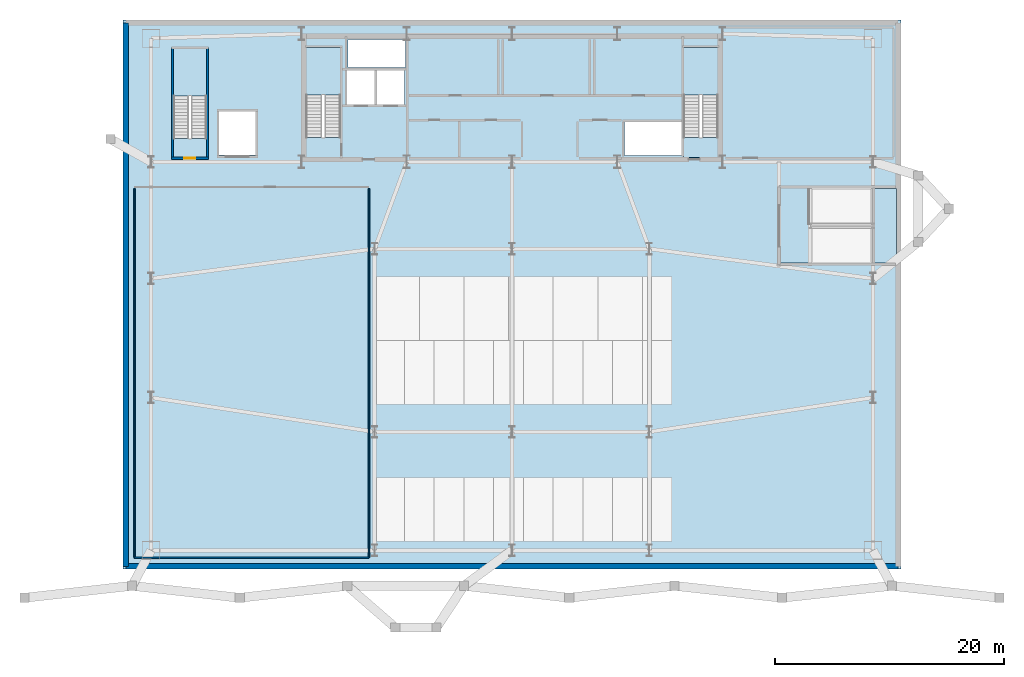
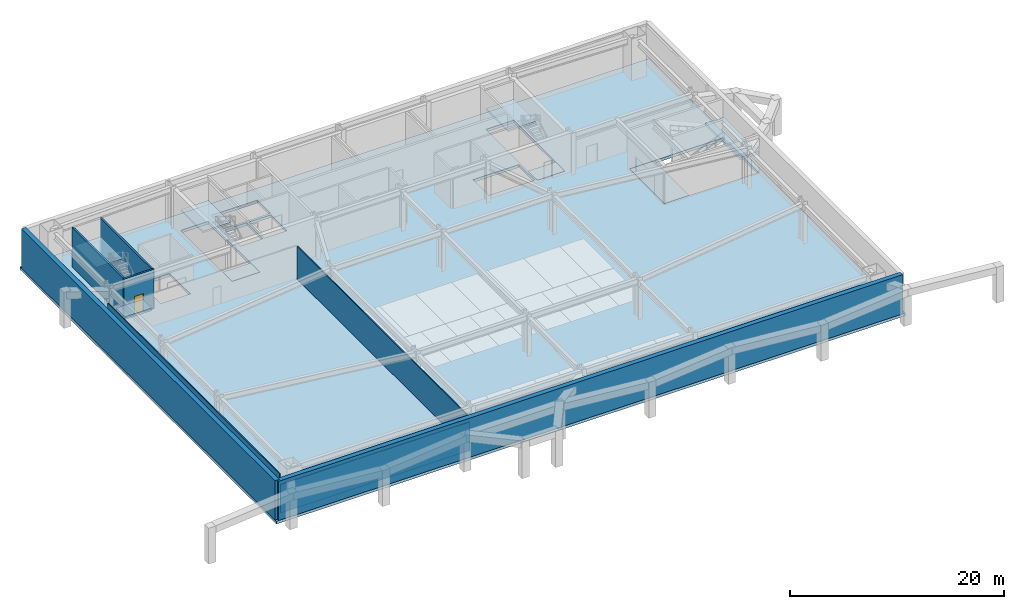
# One storey, part 4 of 9: 9 slabs, 8 walls, 1 door, 1 opening, 3 elements without a shape of their own.
"""IFC4 building model written with IfcOpenShell, lengths in metres."""

from ifc_helpers import new_model, si_unit, direction, frame, frame_2d, origin, place, context, subcontext, project, spatial, polyline, rectangle, outline, extrude, source, transform, mapped, material, layer, layer_set, type_object, type_shapes, element, fill, aggregate, save


model = new_model("IFC4")

# Units and contexts
model_context = context("Model", 3, precision=1e-05, world=origin(), true_north=direction((0.0, 1.0)))
body_context = subcontext(model_context, "Body", "Model", "MODEL_VIEW")
ifc_project = project(units=[si_unit("LENGTHUNIT", "METRE"), si_unit("AREAUNIT", "SQUARE_METRE"), si_unit("VOLUMEUNIT", "CUBIC_METRE"), si_unit("PLANEANGLEUNIT", "RADIAN"), si_unit("MASSUNIT", "GRAM", prefix="KILO")], contexts=[model_context])

# Site, building, storey
site_placement = place(None, origin())
site = spatial("IfcSite", under=ifc_project, at=site_placement, CompositionType="ELEMENT")
building_placement = place(site_placement, origin())
building = spatial("IfcBuilding", under=site, at=building_placement, Name="Varnel Quay Broadcast Tower", CompositionType="ELEMENT")
storey_placement = place(building_placement, frame((0.0, 0.0, -4.800048828125)))
storey = spatial("IfcBuildingStorey", under=building, at=storey_placement, Name="B1", CompositionType="ELEMENT", Elevation=-4.800048828125)

# Slabs
ifc_material_1 = material(Name="Concrete CSA A23.3 C50/60", Category="concrete")
ifc_layer_1 = layer(ifc_material_1, 0.320068359375, Name="Concrete CSA A23.3 C50/60")
ifc_layer_set_1 = layer_set([ifc_layer_1], Name="Concrete CSA A23.3 C50/60")
slab_type_1 = type_object("IfcSlabType", Name="Slab_Floor320", PredefinedType="FLOOR", material=ifc_layer_set_1)
slab_1_placement = place(storey_placement, frame((0.0, 0.0, -0.320068359375)))
element("IfcSlab", 1, at=slab_1_placement, inside=storey, type_object=slab_type_1, Name="B1 Structural Slab", PredefinedType="FLOOR", context=body_context, shape_type="SweptSolid", body=[
    extrude(outline(polyline([(0.0, 0.0), (68.0, 0.0), (68.0, 48.0), (0.0, 48.0), (0.0, 0.0)]), holes=[polyline([(57.39990234375, 26.75), (57.39990234375, 33.300048828125), (67.60009765625, 33.300048828125), (67.60009765625, 26.75), (57.39990234375, 26.75)]), polyline([(43.85009765625, 36.14990234375), (43.85009765625, 39.080078125), (48.800048828125, 39.080078125), (48.800048828125, 36.14990234375), (43.85009765625, 36.14990234375)]), polyline([(8.39990234375, 36.199951171875), (8.39990234375, 40.0), (11.60009765625, 40.0), (11.60009765625, 36.199951171875), (8.39990234375, 36.199951171875)]), polyline([(7.300048828125, 36.0), (4.39990234375, 36.0), (4.39990234375, 45.5), (7.300048828125, 45.5), (7.300048828125, 36.0)]), polyline([(19.0, 36.0), (16.0, 36.0), (16.0, 45.60009765625), (19.0, 45.60009765625), (19.0, 36.0)]), polyline([(52.0, 36.0), (49.0, 36.0), (49.0, 45.60009765625), (52.0, 45.60009765625), (52.0, 36.0)]), polyline([(19.60009765625, 40.60009765625), (19.60009765625, 43.60009765625), (22.0, 43.60009765625), (22.0, 40.60009765625), (19.60009765625, 40.60009765625)]), polyline([(22.199951171875, 43.60009765625), (24.60009765625, 43.60009765625), (24.60009765625, 40.60009765625), (22.199951171875, 40.60009765625), (22.199951171875, 43.60009765625)]), polyline([(19.64990234375, 46.300048828125), (24.679931640625, 46.300048828125), (24.679931640625, 43.85009765625), (19.64990234375, 43.85009765625), (19.64990234375, 46.300048828125)])]), origin(), (0.0, 0.0, 1.0), 0.320068359375),
])
ifc_material_2 = material(Name="Concrete CSA A23.3 C40/50", Category="concrete")
ifc_layer_2 = layer(ifc_material_2, 0.300048828125, Name="Concrete CSA A23.3 C40/50")
ifc_layer_set_2 = layer_set([ifc_layer_2], Name="Concrete CSA A23.3 C40/50")
slab_type_2 = type_object("IfcSlabType", Name="Slab_RampLanding300", PredefinedType="FLOOR", material=ifc_layer_set_2)
slab_2_placement = place(storey_placement, frame((0.0, 0.0, 2.10009765625)))
element("IfcSlab", 2, at=slab_2_placement, inside=storey, type_object=slab_type_2, Name="B1 Structural Vehicle Ramp East Mid-Landing Slab", PredefinedType="FLOOR", context=body_context, shape_type="SweptSolid", body=[
    extrude(outline(polyline([(65.580078125, 26.780029296875), (67.60009765625, 26.780029296875), (67.60009765625, 33.280029296875), (65.580078125, 33.280029296875), (65.580078125, 26.780029296875)])), origin(), (0.0, 0.0, 1.0), 0.300048828125),
])
slab_3_placement = place(storey_placement, frame((0.0, 0.0, -0.320068359375)))
element("IfcSlab", 3, at=slab_3_placement, inside=storey, type_object=slab_type_2, Name="B1 Structural Vehicle Ramp West Concourse Slab", PredefinedType="FLOOR", context=body_context, shape_type="SweptSolid", body=[
    extrude(outline(polyline([(57.39990234375, 26.75), (60.080078125, 26.75), (60.080078125, 33.300048828125), (57.39990234375, 33.300048828125), (57.39990234375, 26.75)])), origin(), (0.0, 0.0, 1.0), 0.320068359375),
])
ifc_layer_3 = layer(ifc_material_1, 0.25, Name="Concrete CSA A23.3 C50/60")
ifc_layer_set_3 = layer_set([ifc_layer_3], Name="Concrete CSA A23.3 C50/60")
slab_type_3 = type_object("IfcSlabType", Name="Slab_StairFloorLanding250", PredefinedType="FLOOR", material=ifc_layer_set_3)
slab_4_placement = place(storey_placement, frame((0.0, 0.0, -0.320068359375)))
element("IfcSlab", 4, at=slab_4_placement, inside=storey, type_object=slab_type_3, Name="B1 ST-01 Structural Floor Landing Slab", PredefinedType="FLOOR", context=body_context, shape_type="SweptSolid", body=[
    extrude(outline(polyline([(19.0, 36.0), (19.0, 37.75), (16.0, 37.75), (16.0, 36.0), (19.0, 36.0)])), origin(), (0.0, 0.0, 1.0), 0.320068359375),
])
slab_5_placement = place(storey_placement, frame((0.0, 0.0, -0.320068359375)))
element("IfcSlab", 5, at=slab_5_placement, inside=storey, type_object=slab_type_3, Name="B1 ST-02 Structural Floor Landing Slab", PredefinedType="FLOOR", context=body_context, shape_type="SweptSolid", body=[
    extrude(outline(polyline([(52.0, 36.0), (52.0, 37.75), (49.0, 37.75), (49.0, 36.0), (52.0, 36.0)])), origin(), (0.0, 0.0, 1.0), 0.320068359375),
])
slab_6_placement = place(storey_placement, frame((0.0, 0.0, -0.320068359375)))
element("IfcSlab", 6, at=slab_6_placement, inside=storey, type_object=slab_type_3, Name="B1 ST-03 Structural Floor Landing Slab", PredefinedType="FLOOR", context=body_context, shape_type="SweptSolid", body=[
    extrude(outline(polyline([(7.300048828125, 36.0), (7.300048828125, 37.64990234375), (4.39990234375, 37.64990234375), (4.39990234375, 36.0), (7.300048828125, 36.0)])), origin(), (0.0, 0.0, 1.0), 0.320068359375),
])

# Stair, slab
ifc_material_3 = material(Name="Precast Structural Concrete C40/50", Category="concrete")
stair_type_1 = type_object("IfcStairType", Name="Stair_ST-01", PredefinedType="HALF_TURN_STAIR", material=ifc_material_3)
stair_1_placement = place(storey_placement, origin())
stair_1 = element("IfcStair", 7, at=stair_1_placement, inside=storey, type_object=stair_type_1, Name="B1 West Core Exit Stair 1", PredefinedType="HALF_TURN_STAIR")
ifc_layer_4 = layer(ifc_material_3, 0.199951171875, Name="Precast Structural Concrete C40/50")
ifc_layer_set_4 = layer_set([ifc_layer_4], Name="Precast Structural Concrete C40/50")
slab_type_4 = type_object("IfcSlabType", Name="Slab_StairLanding200", PredefinedType="LANDING", material=ifc_layer_set_4)
slab_7_placement = place(storey_placement, frame((0.0, 0.0, 2.199951171875)))
slab_7 = element("IfcSlab", 8, at=slab_7_placement, type_object=slab_type_4, Name="ST-01 landing 1", PredefinedType="LANDING", context=body_context, shape_type="SweptSolid", body=[
    extrude(outline(polyline([(19.0, 41.455078125), (19.0, 45.60009765625), (16.0, 45.60009765625), (16.0, 41.455078125), (19.0, 41.455078125)])), origin(), (0.0, 0.0, 1.0), 0.2001953125),
])
aggregate(stair_1, [slab_7])

stair_type_2 = type_object("IfcStairType", Name="Stair_ST-02", PredefinedType="HALF_TURN_STAIR", material=ifc_material_3)
stair_2_placement = place(storey_placement, origin())
stair_2 = element("IfcStair", 9, at=stair_2_placement, inside=storey, type_object=stair_type_2, Name="B1 East Core Exit Stair 2", PredefinedType="HALF_TURN_STAIR")
slab_8_placement = place(storey_placement, frame((0.0, 0.0, 2.199951171875)))
slab_8 = element("IfcSlab", 10, at=slab_8_placement, type_object=slab_type_4, Name="ST-02 landing 1", PredefinedType="LANDING", context=body_context, shape_type="SweptSolid", body=[
    extrude(outline(polyline([(52.0, 41.455078125), (52.0, 45.60009765625), (49.0, 45.60009765625), (49.0, 41.455078125), (52.0, 41.455078125)])), origin(), (0.0, 0.0, 1.0), 0.2001953125),
])
aggregate(stair_2, [slab_8])

stair_type_3 = type_object("IfcStairType", Name="Stair_ST-03", PredefinedType="HALF_TURN_STAIR", material=ifc_material_3)
stair_3_placement = place(storey_placement, origin())
stair_3 = element("IfcStair", 11, at=stair_3_placement, inside=storey, type_object=stair_type_3, Name="B1 Podium Studio Exit Stair 3", PredefinedType="HALF_TURN_STAIR")
slab_9_placement = place(storey_placement, frame((0.0, 0.0, 2.199951171875)))
slab_9 = element("IfcSlab", 12, at=slab_9_placement, type_object=slab_type_4, Name="ST-03 landing 1", PredefinedType="LANDING", context=body_context, shape_type="SweptSolid", body=[
    extrude(outline(polyline([(7.300048828125, 41.35498046875), (7.300048828125, 45.5), (4.39990234375, 45.5), (4.39990234375, 41.35498046875), (7.300048828125, 41.35498046875)])), origin(), (0.0, 0.0, 1.0), 0.2001953125),
])
aggregate(stair_3, [slab_9])

# Walls
ifc_layer_5 = layer(ifc_material_1, 0.5, Name="Concrete CSA A23.3 C50/60")
ifc_layer_set_5 = layer_set([ifc_layer_5], Name="Concrete CSA A23.3 C50/60")
wall_type_1 = type_object("IfcWallType", Name="Wall_BasementRetaining500", PredefinedType="USERDEFINED", material=ifc_layer_set_5)
wall_1_placement = place(storey_placement, frame((0.25, 0.25, 0.0), z_axis=(0.0, 0.0, 1.0), x_axis=(1.0, 0.0, 0.0)))
element("IfcWall", 13, at=wall_1_placement, inside=storey, type_object=wall_type_1, Name="B1 Perimeter Retaining Wall S", ObjectType="RETAININGWALL", PredefinedType="USERDEFINED", context=body_context, shape_type="SweptSolid", body=[
    extrude(rectangle(XDim=67.5, YDim=0.5, at=frame_2d((33.75, 0.0))), origin(), (0.0, 0.0, 1.0), 4.47998046875),
])
wall_2_placement = place(storey_placement, frame((0.25, 47.75, 0.0), z_axis=(0.0, 0.0, 1.0), x_axis=(0.0, -1.0, 0.0)))
element("IfcWall", 14, at=wall_2_placement, inside=storey, type_object=wall_type_1, Name="B1 Perimeter Retaining Wall W", ObjectType="RETAININGWALL", PredefinedType="USERDEFINED", context=body_context, shape_type="SweptSolid", body=[
    extrude(rectangle(XDim=47.5, YDim=0.5, at=frame_2d((23.75, 0.0))), origin(), (0.0, 0.0, 1.0), 4.47998046875),
])
ifc_layer_6 = layer(ifc_material_1, 0.199951171875, Name="Concrete CSA A23.3 C50/60")
ifc_layer_set_6 = layer_set([ifc_layer_6], Name="Concrete CSA A23.3 C50/60")
wall_type_2 = type_object("IfcWallType", Name="Wall_CoreShaftShear200", PredefinedType="SHEAR", material=ifc_layer_set_6)
for number, where, z_axis, x_axis, name in (
    (15, (4.320068359375, 36.0, 0.0), (0.0, 0.0, 1.0), (0.0, 1.0, 0.0), "B1 Podium Stair 3 W Structural Wall"),
    (16, (7.3798828125, 36.0, 0.0), (0.0, 0.0, 1.0), (0.0, 1.0, 0.0), "B1 Podium Stair 3 E Structural Wall"),
):
    element("IfcWall", number, at=place(storey_placement, frame(where, z_axis=z_axis, x_axis=x_axis)), inside=storey, type_object=wall_type_2, Name=name, PredefinedType="SHEAR", context=body_context, shape_type="SweptSolid", body=[
        extrude(rectangle(XDim=9.60009765625, YDim=0.199951171875, at=frame_2d((4.800048828125, 0.0))), origin(), (0.0, 0.0, 1.0), 4.47998046875),
    ])

# Wall, opening, door
wall_3_placement = place(storey_placement, frame((4.219970703125, 35.919921875, 0.0), z_axis=(0.0, 0.0, 1.0), x_axis=(1.0, 0.0, 0.0)))
wall_3 = element("IfcWall", 17, at=wall_3_placement, inside=storey, type_object=wall_type_2, Name="B1 Podium Stair 3 South Structural Wall", PredefinedType="SHEAR", context=body_context, shape_type="SweptSolid", body=[
    extrude(rectangle(XDim=3.260009765625, YDim=0.199951171875, at=frame_2d((1.6298828125, 0.0))), origin(), (0.0, 0.0, 1.0), 4.47998046875),
])
opening_placement = place(wall_3_placement, frame((1.14990234375, 0.0, 0.0)))
opening = element("IfcOpeningElement", 18, at=opening_placement, cuts=wall_3, Name="Opening D-B1-S3", PredefinedType="OPENING", context=body_context, shape_type="SweptSolid", body=[
    extrude(rectangle(XDim=0.949951171875, YDim=2.10009765625, at=frame_2d((0.47509765625, 1.050048828125))), frame((0.0, 0.10986328125, 0.0), z_axis=(0.0, -1.0, 0.0), x_axis=(1.0, 0.0, 0.0)), (0.0, 0.0, 1.0), 0.219970703125),
])
ifc_material_4 = material(Name="Insulated Fire-Rated Hollow Steel Door", Category="steel")
door_type = type_object("IfcDoorType", Name="Door_FireStair950", OperationType="NOTDEFINED", PredefinedType="DOOR", material=ifc_material_4)
shared_shape = source(origin(), body_context, "Body", "SweptSolid", [
    extrude(rectangle(XDim=0.949951171875, YDim=2.10009765625, at=frame_2d((0.47509765625, 1.050048828125))), frame((0.0, 0.02490234375, 0.0), z_axis=(0.0, -1.0, 0.0), x_axis=(1.0, 0.0, 0.0)), (0.0, 0.0, 1.0), 0.050048828125),
])
type_shapes(door_type, [shared_shape])
door_placement = place(opening_placement, origin())
door = element("IfcDoor", 19, at=door_placement, inside=storey, type_object=door_type, Name="B1 Podium Stair 3 Fire Door", OperationType="SINGLE_SWING_LEFT", OverallHeight=2.10009765625, OverallWidth=0.949951171875, PredefinedType="DOOR", context=body_context, shape_type="MappedRepresentation", body=[
    mapped(shared_shape, transform((0.0, 0.0, 0.0), x_axis=(1.0, 0.0, 0.0), y_axis=(0.0, 1.0, 0.0), z_axis=(0.0, 0.0, 1.0), scale=1.0)),
])
fill(opening, door)

# Walls
ifc_material_5 = material(Name="Steel-Stud Fire-Rated Acoustic Gypsum Partition Assembly", Category="steel")
ifc_layer_7 = layer(ifc_material_5, 0.10498046875, Name="Steel-Stud Fire-Rated Acoustic Gypsum Partition Assembly")
ifc_layer_set_7 = layer_set([ifc_layer_7], Name="Steel-Stud Fire-Rated Acoustic Gypsum Partition Assembly")
wall_type_3 = type_object("IfcWallType", Name="Wall_Partition105", PredefinedType="PARTITIONING", material=ifc_layer_set_7)
wall_4_placement = place(storey_placement, frame((1.0, 1.0, 0.0), z_axis=(0.0, 0.0, 1.0), x_axis=(1.0, 0.0, 0.0)))
element("IfcWall", 20, at=wall_4_placement, inside=storey, type_object=wall_type_3, Name="B1 Broadcast Master Tape & Digital Archive Vault Partition 8", PredefinedType="PARTITIONING", context=body_context, shape_type="SweptSolid", body=[
    extrude(rectangle(XDim=20.5, YDim=0.10498046875, at=frame_2d((10.25, 0.0))), origin(), (0.0, 0.0, 1.0), 3.275146484375),
])
wall_5_placement = place(storey_placement, frame((21.5, 1.052001953125, 0.0), z_axis=(0.0, 0.0, 1.0), x_axis=(0.0, 1.0, 0.0)))
element("IfcWall", 21, at=wall_5_placement, inside=storey, type_object=wall_type_3, Name="B1 Broadcast Master Tape & Digital Archive Vault Partition 9", PredefinedType="PARTITIONING", context=body_context, shape_type="SweptSolid", body=[
    extrude(rectangle(XDim=32.197998046875, YDim=0.10498046875, at=frame_2d((16.09912109375, 0.0))), origin(), (0.0, 0.0, 1.0), 3.760009765625),
])
wall_6_placement = place(storey_placement, frame((1.0, 1.052001953125, 0.0), z_axis=(0.0, 0.0, 1.0), x_axis=(0.0, 1.0, 0.0)))
element("IfcWall", 22, at=wall_6_placement, inside=storey, type_object=wall_type_3, Name="B1 Broadcast Master Tape & Digital Archive Vault Partition 11", PredefinedType="PARTITIONING", context=body_context, shape_type="SweptSolid", body=[
    extrude(rectangle(XDim=32.197998046875, YDim=0.10498046875, at=frame_2d((16.09912109375, 0.0))), origin(), (0.0, 0.0, 1.0), 4.4599609375),
])

save(model, "model.ifc")
